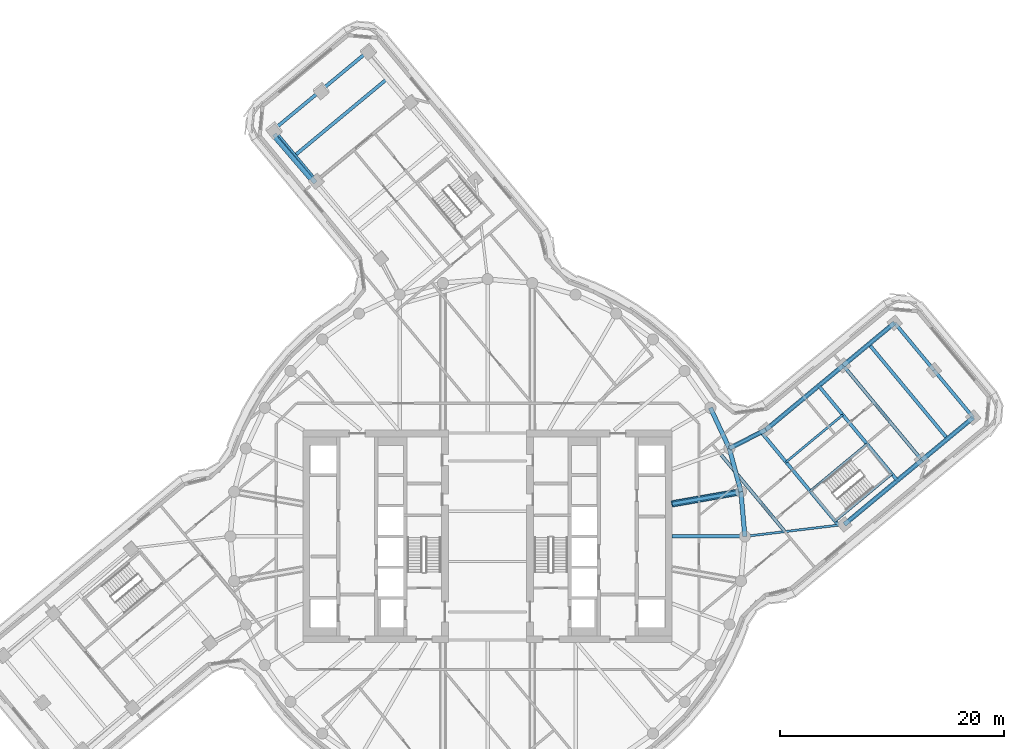
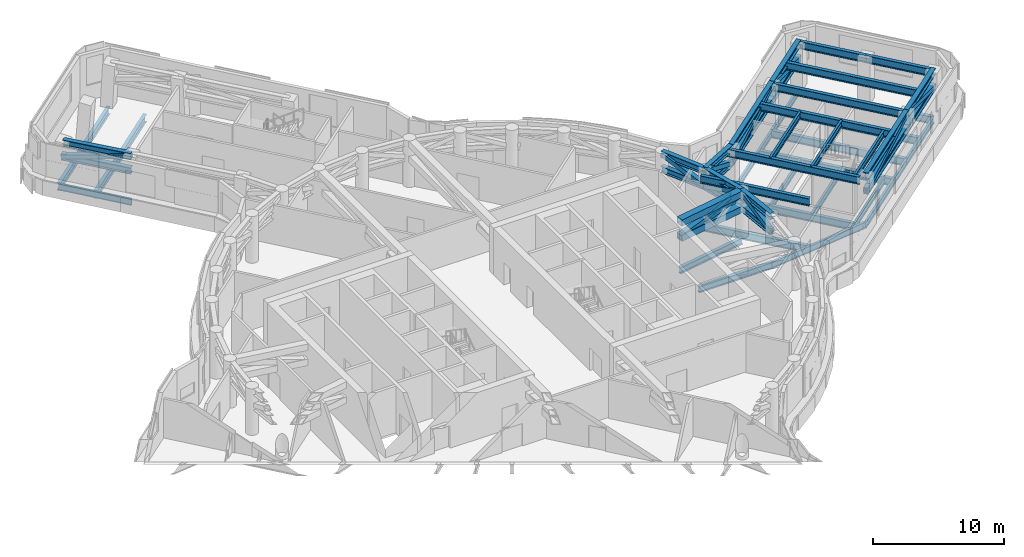
# One storey, part 4 of 22: 32 beams, 30 members.
"""IFC4 building model written with IfcOpenShell, lengths in metres."""

from ifc_helpers import new_model, si_unit, direction, frame, origin, origin_2d, place, context, subcontext, project, spatial, hollow_rectangle, i_section, extrude, material, material_profile, profile_set, type_object, element, save


model = new_model("IFC4")

# Units and contexts
model_context = context("Model", 3, precision=1e-05, world=origin(), true_north=direction((0.0, 1.0)))
body_context = subcontext(model_context, "Body", "Model", "MODEL_VIEW")
ifc_project = project(units=[si_unit("LENGTHUNIT", "METRE"), si_unit("AREAUNIT", "SQUARE_METRE"), si_unit("VOLUMEUNIT", "CUBIC_METRE"), si_unit("PLANEANGLEUNIT", "RADIAN"), si_unit("MASSUNIT", "GRAM", prefix="KILO")], contexts=[model_context])

# Site, building, storey
site_placement = place(None, origin())
site = spatial("IfcSite", under=ifc_project, at=site_placement, CompositionType="ELEMENT")
building_placement = place(site_placement, origin())
building = spatial("IfcBuilding", under=site, at=building_placement, Name="Tamarind Cross Interchange Tower", CompositionType="ELEMENT")
storey_placement = place(building_placement, frame((0.0, 0.0, 178.0)))
storey = spatial("IfcBuildingStorey", under=building, at=storey_placement, Name="L44", CompositionType="ELEMENT", Elevation=178.0)

# Beams
ifc_material_1 = material(Name="Steel Q355B", Category="steel")
ifc_material_profile_1 = material_profile(ifc_material_1, i_section(OverallWidth=0.302001953125, OverallDepth=0.593994140625, WebThickness=0.013916015625, FlangeThickness=0.02294921875, FilletRadius=0.01806640625, at=origin_2d()), Name="HM 594x302x14x23")
ifc_profile_set_1 = profile_set([ifc_material_profile_1], Name="Steel Q355B")
beam_type_1 = type_object("IfcBeamType", Name="Composite beam HM 594x302x14x23 Q355B", PredefinedType="BEAM", material=ifc_profile_set_1)
beam_1_placement = place(storey_placement, frame((23.0, 0.0, -0.47705078125), z_axis=(-1.0, 0.0, 0.0), x_axis=(0.0, -1.0, 0.0)))
element("IfcBeam", 1, at=beam_1_placement, inside=storey, type_object=beam_type_1, Name="Beam HH00", PredefinedType="BEAM", context=body_context, shape_type="SweptSolid", body=[
    extrude(i_section(OverallWidth=0.302001953125, OverallDepth=0.593994140625, WebThickness=0.013916015625, FlangeThickness=0.02294921875, FilletRadius=0.01806640625, at=origin_2d()), origin(), (0.0, 0.0, 1.0), 6.5),
])
beam_2_placement = place(storey_placement, frame((22.650634765625, 3.993896484375, -0.47705078125), z_axis=(-0.984809127561, -0.173640382036, 0.0), x_axis=(0.173640382036, -0.984809127561, 0.0)))
element("IfcBeam", 2, at=beam_2_placement, inside=storey, type_object=beam_type_1, Name="Beam HH01", PredefinedType="BEAM", context=body_context, shape_type="SweptSolid", body=[
    extrude(i_section(OverallWidth=0.302001953125, OverallDepth=0.593994140625, WebThickness=0.013916015625, FlangeThickness=0.02294921875, FilletRadius=0.01806640625, at=origin_2d()), origin(), (0.0, 0.0, 1.0), 6.24560546875),
])
ifc_material_profile_2 = material_profile(ifc_material_1, i_section(OverallWidth=0.199951171875, OverallDepth=0.60009765625, WebThickness=0.010986328125, FlangeThickness=0.01708984375, FilletRadius=0.012939453125, at=origin_2d()), Name="HN 600x200x11x17")
ifc_profile_set_2 = profile_set([ifc_material_profile_2], Name="Steel Q355B")
beam_type_2 = type_object("IfcBeamType", Name="Composite beam HN 600x200x11x17 Q355B", PredefinedType="BEAM", material=ifc_profile_set_2)
beam_3_placement = place(storey_placement, frame((43.41552734375, 10.63232421875, -0.47998046875), z_axis=(-0.769370056022, -0.638803347594, 0.0), x_axis=(0.638803347594, -0.769370056022, 0.0)))
element("IfcBeam", 3, at=beam_3_placement, inside=storey, type_object=beam_type_2, Name="Beam E-edgeem5", PredefinedType="BEAM", context=body_context, shape_type="SweptSolid", body=[
    extrude(i_section(OverallWidth=0.199951171875, OverallDepth=0.60009765625, WebThickness=0.010986328125, FlangeThickness=0.01708984375, FilletRadius=0.012939453125, at=origin_2d()), origin(), (0.0, 0.0, 1.0), 5.968505859375),
])
beam_4_placement = place(storey_placement, frame((38.823486328125, 6.819580078125, -0.47998046875), z_axis=(-0.769380703937, -0.638790523105, 0.0), x_axis=(0.638790523105, -0.769380703937, 0.0)))
element("IfcBeam", 4, at=beam_4_placement, inside=storey, type_object=beam_type_2, Name="Beam E-edgeem6", PredefinedType="BEAM", context=body_context, shape_type="SweptSolid", body=[
    extrude(i_section(OverallWidth=0.199951171875, OverallDepth=0.60009765625, WebThickness=0.010986328125, FlangeThickness=0.01708984375, FilletRadius=0.012939453125, at=origin_2d()), origin(), (0.0, 0.0, 1.0), 8.999755859375),
])
beam_5_placement = place(storey_placement, frame((36.388671875, 19.095458984375, -0.47998046875), z_axis=(-0.769370056022, -0.638803347594, 0.0), x_axis=(0.638803347594, -0.769370056022, 0.0)))
element("IfcBeam", 5, at=beam_5_placement, inside=storey, type_object=beam_type_2, Name="Beam E-edgeep2", PredefinedType="BEAM", context=body_context, shape_type="SweptSolid", body=[
    extrude(i_section(OverallWidth=0.199951171875, OverallDepth=0.60009765625, WebThickness=0.010986328125, FlangeThickness=0.01708984375, FilletRadius=0.012939453125, at=origin_2d()), origin(), (0.0, 0.0, 1.0), 5.968505859375),
])
beam_6_placement = place(storey_placement, frame((31.796630859375, 15.28271484375, -0.47998046875), z_axis=(-0.769380703937, -0.638790523105, 0.0), x_axis=(0.638790523105, -0.769380703937, 0.0)))
element("IfcBeam", 6, at=beam_6_placement, inside=storey, type_object=beam_type_2, Name="Beam E-edgeep3", PredefinedType="BEAM", context=body_context, shape_type="SweptSolid", body=[
    extrude(i_section(OverallWidth=0.199951171875, OverallDepth=0.60009765625, WebThickness=0.010986328125, FlangeThickness=0.01708984375, FilletRadius=0.012939453125, at=origin_2d()), origin(), (0.0, 0.0, 1.0), 8.999755859375),
])
beam_7_placement = place(storey_placement, frame((31.899169921875, 1.070556640625, -0.47998046875), z_axis=(-0.992841738772, -0.119437354929, 0.0), x_axis=(0.119437354929, -0.992841738772, 0.0)))
element("IfcBeam", 7, at=beam_7_placement, inside=storey, type_object=beam_type_2, Name="Beam E-linkem", PredefinedType="BEAM", context=body_context, shape_type="SweptSolid", body=[
    extrude(i_section(OverallWidth=0.199951171875, OverallDepth=0.60009765625, WebThickness=0.010986328125, FlangeThickness=0.01708984375, FilletRadius=0.012939453125, at=origin_2d()), origin(), (0.0, 0.0, 1.0), 8.96337890625),
])
beam_8_placement = place(storey_placement, frame((24.872314453125, 9.53369140625, -0.47998046875), z_axis=(-0.890281490178, -0.455410658908, 0.0), x_axis=(0.455410658908, -0.890281490178, 0.0)))
element("IfcBeam", 8, at=beam_8_placement, inside=storey, type_object=beam_type_2, Name="Beam E-linkep", PredefinedType="BEAM", context=body_context, shape_type="SweptSolid", body=[
    extrude(i_section(OverallWidth=0.199951171875, OverallDepth=0.60009765625, WebThickness=0.010986328125, FlangeThickness=0.01708984375, FilletRadius=0.012939453125, at=origin_2d()), origin(), (0.0, 0.0, 1.0), 3.660888671875),
])
for number, where, z_axis, x_axis, name in (
    (9, (31.073974609375, 1.360107421875, -0.47998046875), (0.769375238735, 0.63879710552, 0.0), (-0.63879710552, 0.769375238735, 0.0), "Beam E-tr0"),
    (10, (28.838134765625, 4.052978515625, -0.47998046875), (0.769375238735, 0.63879710552, 0.0), (-0.63879710552, 0.769375238735, 0.0), "Beam E-tr1"),
):
    element("IfcBeam", number, at=place(storey_placement, frame(where, z_axis=z_axis, x_axis=x_axis)), inside=storey, type_object=beam_type_2, Name=name, PredefinedType="BEAM", context=body_context, shape_type="SweptSolid", body=[
        extrude(i_section(OverallWidth=0.199951171875, OverallDepth=0.60009765625, WebThickness=0.010986328125, FlangeThickness=0.01708984375, FilletRadius=0.012939453125, at=origin_2d()), origin(), (0.0, 0.0, 1.0), 6.60009765625),
    ])
beam_9_placement = place(storey_placement, frame((-19.095458984375, 36.388671875, -0.47998046875), z_axis=(0.638803347594, -0.769370056022, 0.0), x_axis=(0.769370056022, 0.638803347594, 0.0)))
element("IfcBeam", 11, at=beam_9_placement, inside=storey, type_object=beam_type_2, Name="Beam N-edgeep2", PredefinedType="BEAM", context=body_context, shape_type="SweptSolid", body=[
    extrude(i_section(OverallWidth=0.199951171875, OverallDepth=0.60009765625, WebThickness=0.010986328125, FlangeThickness=0.01708984375, FilletRadius=0.012939453125, at=origin_2d()), origin(), (0.0, 0.0, 1.0), 5.968505859375),
])
beam_10_placement = place(storey_placement, frame((26.68212890625, 6.6494140625, -0.47998046875), z_axis=(0.769375238735, 0.63879710552, 0.0), x_axis=(-0.63879710552, 0.769375238735, 0.0)))
element("IfcBeam", 12, at=beam_10_placement, inside=storey, type_object=beam_type_2, Name="Beam E-stripp", PredefinedType="BEAM", context=body_context, shape_type="SweptSolid", body=[
    extrude(i_section(OverallWidth=0.199951171875, OverallDepth=0.60009765625, WebThickness=0.010986328125, FlangeThickness=0.01708984375, FilletRadius=0.012939453125, at=origin_2d()), origin(), (0.0, 0.0, 1.0), 6.60009765625),
])
ifc_material_profile_3 = material_profile(ifc_material_1, i_section(OverallWidth=0.300048828125, OverallDepth=0.699951171875, WebThickness=0.012939453125, FlangeThickness=0.02392578125, FilletRadius=0.01806640625, at=origin_2d()), Name="HN 700x300x13x24")
ifc_profile_set_3 = profile_set([ifc_material_profile_3], Name="Steel Q355B")
beam_type_3 = type_object("IfcBeamType", Name="Composite beam HN 700x300x13x24 Q355B", PredefinedType="BEAM", material=ifc_profile_set_3)
beam_11_placement = place(storey_placement, frame((43.41552734375, 10.63232421875, -0.530029296875), z_axis=(-0.638812392933, 0.769362545641, 0.0), x_axis=(-0.769362545641, -0.638812392933, 0.0)))
element("IfcBeam", 13, at=beam_11_placement, inside=storey, type_object=beam_type_3, Name="Beam E-tip0", PredefinedType="BEAM", context=body_context, shape_type="SweptSolid", body=[
    extrude(i_section(OverallWidth=0.300048828125, OverallDepth=0.699951171875, WebThickness=0.012939453125, FlangeThickness=0.02392578125, FilletRadius=0.01806640625, at=origin_2d()), origin(), (0.0, 0.0, 1.0), 5.5),
])
beam_12_placement = place(storey_placement, frame((39.902099609375, 14.86376953125, -0.530029296875), z_axis=(-0.638790576838, 0.769380659324, 0.0), x_axis=(-0.769380659324, -0.638790576838, 0.0)))
element("IfcBeam", 14, at=beam_12_placement, inside=storey, type_object=beam_type_3, Name="Beam E-tip1", PredefinedType="BEAM", context=body_context, shape_type="SweptSolid", body=[
    extrude(i_section(OverallWidth=0.300048828125, OverallDepth=0.699951171875, WebThickness=0.012939453125, FlangeThickness=0.02392578125, FilletRadius=0.01806640625, at=origin_2d()), origin(), (0.0, 0.0, 1.0), 5.500244140625),
])
beam_13_placement = place(storey_placement, frame((31.367431640625, 1.006591796875, -0.530029296875), z_axis=(-0.638806079007, 0.769367788137, 0.0), x_axis=(-0.769367788137, -0.638806079007, 0.0)))
element("IfcBeam", 15, at=beam_13_placement, inside=storey, type_object=beam_type_3, Name="Beam E-x298", PredefinedType="BEAM", context=body_context, shape_type="SweptSolid", body=[
    extrude(i_section(OverallWidth=0.300048828125, OverallDepth=0.699951171875, WebThickness=0.012939453125, FlangeThickness=0.02392578125, FilletRadius=0.01806640625, at=origin_2d()), origin(), (0.0, 0.0, 1.0), 10.81005859375),
])
for number, where, z_axis, x_axis, name in (
    (16, (36.630859375, 4.9990234375, -0.530029296875), (-0.638801484764, 0.769371602715, 0.0), (-0.769371602715, -0.638801484764, 0.0), "Beam E-x364"),
    (17, (38.823486328125, 6.819580078125, -0.530029296875), (-0.638801484764, 0.769371602715, 0.0), (-0.769371602715, -0.638801484764, 0.0), "Beam E-x393"),
):
    element("IfcBeam", number, at=place(storey_placement, frame(where, z_axis=z_axis, x_axis=x_axis)), inside=storey, type_object=beam_type_3, Name=name, PredefinedType="BEAM", context=body_context, shape_type="SweptSolid", body=[
        extrude(i_section(OverallWidth=0.300048828125, OverallDepth=0.699951171875, WebThickness=0.012939453125, FlangeThickness=0.02392578125, FilletRadius=0.01806640625, at=origin_2d()), origin(), (0.0, 0.0, 1.0), 11.0),
    ])
beam_14_placement = place(storey_placement, frame((-10.63232421875, 43.41552734375, -0.530029296875), z_axis=(-0.769362545641, -0.638812392933, 0.0), x_axis=(0.638812392933, -0.769362545641, 0.0)))
element("IfcBeam", 18, at=beam_14_placement, inside=storey, type_object=beam_type_3, Name="Beam N-tip0", PredefinedType="BEAM", context=body_context, shape_type="SweptSolid", body=[
    extrude(i_section(OverallWidth=0.300048828125, OverallDepth=0.699951171875, WebThickness=0.012939453125, FlangeThickness=0.02392578125, FilletRadius=0.01806640625, at=origin_2d()), origin(), (0.0, 0.0, 1.0), 5.5),
])
beam_15_placement = place(storey_placement, frame((-14.86376953125, 39.902099609375, -0.530029296875), z_axis=(-0.769380659324, -0.638790576838, 0.0), x_axis=(0.638790576838, -0.769380659324, 0.0)))
element("IfcBeam", 19, at=beam_15_placement, inside=storey, type_object=beam_type_3, Name="Beam N-tip1", PredefinedType="BEAM", context=body_context, shape_type="SweptSolid", body=[
    extrude(i_section(OverallWidth=0.300048828125, OverallDepth=0.699951171875, WebThickness=0.012939453125, FlangeThickness=0.02392578125, FilletRadius=0.01806640625, at=origin_2d()), origin(), (0.0, 0.0, 1.0), 5.500244140625),
])
beam_16_placement = place(storey_placement, frame((26.581298828125, 0.430908203125, -0.530029296875), z_axis=(-0.638801055904, 0.769371958793, 0.0), x_axis=(-0.769371958793, -0.638801055904, 0.0)))
element("IfcBeam", 20, at=beam_16_placement, inside=storey, type_object=beam_type_3, Name="Beam E-x258", PredefinedType="BEAM", context=body_context, shape_type="SweptSolid", body=[
    extrude(i_section(OverallWidth=0.300048828125, OverallDepth=0.699951171875, WebThickness=0.012939453125, FlangeThickness=0.02392578125, FilletRadius=0.01806640625, at=origin_2d()), origin(), (0.0, 0.0, 1.0), 8.89453125),
])
for number, where, z_axis, x_axis, name in (
    (21, (41.119384765625, 8.72607421875, -0.530029296875), (-0.638799255102, 0.769373453975, 0.0), (-0.769373453975, -0.638799255102, 0.0), "Beam E-x423"),
    (22, (-8.72607421875, 41.119384765625, -0.530029296875), (-0.769373453975, -0.638799255102, 0.0), (0.638799255102, -0.769373453975, 0.0), "Beam N-x423"),
):
    element("IfcBeam", number, at=place(storey_placement, frame(where, z_axis=z_axis, x_axis=x_axis)), inside=storey, type_object=beam_type_3, Name=name, PredefinedType="BEAM", context=body_context, shape_type="SweptSolid", body=[
        extrude(i_section(OverallWidth=0.300048828125, OverallDepth=0.699951171875, WebThickness=0.012939453125, FlangeThickness=0.02392578125, FilletRadius=0.01806640625, at=origin_2d()), origin(), (0.0, 0.0, 1.0), 10.999755859375),
    ])
ifc_material_profile_4 = material_profile(ifc_material_1, i_section(OverallWidth=0.199951171875, OverallDepth=0.60009765625, WebThickness=0.010986328125, FlangeThickness=0.01708984375, FilletRadius=0.012939453125, at=origin_2d()), Name="HN 600x200x11x17")
ifc_profile_set_4 = profile_set([ifc_material_profile_4], Name="Steel Q355B")
beam_type_4 = type_object("IfcBeamType", Name="Roof beam HN 600x200x11x17 Q355B", PredefinedType="BEAM", material=ifc_profile_set_4)
beam_17_placement = place(storey_placement, frame((31.189208984375, 1.455810546875, 3.949951171875), z_axis=(0.769382573438, 0.638788271409, 0.0), x_axis=(-0.638788271409, 0.769382573438, 0.0)))
element("IfcBeam", 23, at=beam_17_placement, inside=storey, type_object=beam_type_4, Name="Beam E-tr0", PredefinedType="BEAM", context=body_context, shape_type="SweptSolid", body=[
    extrude(i_section(OverallWidth=0.199951171875, OverallDepth=0.60009765625, WebThickness=0.010986328125, FlangeThickness=0.01708984375, FilletRadius=0.012939453125, at=origin_2d()), origin(), (0.0, 0.0, 1.0), 6.300048828125),
])
for number, where, z_axis, x_axis, name in (
    (24, (28.838134765625, 4.052978515625, 3.949951171875), (0.769375238735, 0.63879710552, 0.0), (-0.63879710552, 0.769375238735, 0.0), "Beam E-tr1"),
    (25, (26.68212890625, 6.6494140625, 3.949951171875), (0.769375238735, 0.63879710552, 0.0), (-0.63879710552, 0.769375238735, 0.0), "Beam E-stripp"),
):
    element("IfcBeam", number, at=place(storey_placement, frame(where, z_axis=z_axis, x_axis=x_axis)), inside=storey, type_object=beam_type_4, Name=name, PredefinedType="BEAM", context=body_context, shape_type="SweptSolid", body=[
        extrude(i_section(OverallWidth=0.199951171875, OverallDepth=0.60009765625, WebThickness=0.010986328125, FlangeThickness=0.01708984375, FilletRadius=0.012939453125, at=origin_2d()), origin(), (0.0, 0.0, 1.0), 6.60009765625),
    ])
ifc_material_profile_5 = material_profile(ifc_material_1, i_section(OverallWidth=0.300048828125, OverallDepth=0.699951171875, WebThickness=0.012939453125, FlangeThickness=0.02392578125, FilletRadius=0.01806640625, at=origin_2d()), Name="HN 700x300x13x24")
ifc_profile_set_5 = profile_set([ifc_material_profile_5], Name="Steel Q355B")
beam_type_5 = type_object("IfcBeamType", Name="Roof beam HN 700x300x13x24 Q355B", PredefinedType="BEAM", material=ifc_profile_set_5)
beam_18_placement = place(storey_placement, frame((43.41552734375, 10.63232421875, 3.89990234375), z_axis=(-0.638812392933, 0.769362545641, 0.0), x_axis=(-0.769362545641, -0.638812392933, 0.0)))
element("IfcBeam", 26, at=beam_18_placement, inside=storey, type_object=beam_type_5, Name="Beam E-tip0", PredefinedType="BEAM", context=body_context, shape_type="SweptSolid", body=[
    extrude(i_section(OverallWidth=0.300048828125, OverallDepth=0.699951171875, WebThickness=0.012939453125, FlangeThickness=0.02392578125, FilletRadius=0.01806640625, at=origin_2d()), origin(), (0.0, 0.0, 1.0), 5.5),
])
beam_19_placement = place(storey_placement, frame((39.902099609375, 14.86376953125, 3.89990234375), z_axis=(-0.638790576838, 0.769380659324, 0.0), x_axis=(-0.769380659324, -0.638790576838, 0.0)))
element("IfcBeam", 27, at=beam_19_placement, inside=storey, type_object=beam_type_5, Name="Beam E-tip1", PredefinedType="BEAM", context=body_context, shape_type="SweptSolid", body=[
    extrude(i_section(OverallWidth=0.300048828125, OverallDepth=0.699951171875, WebThickness=0.012939453125, FlangeThickness=0.02392578125, FilletRadius=0.01806640625, at=origin_2d()), origin(), (0.0, 0.0, 1.0), 5.500244140625),
])
beam_20_placement = place(storey_placement, frame((31.367431640625, 1.006591796875, 3.89990234375), z_axis=(-0.638806079007, 0.769367788137, 0.0), x_axis=(-0.769367788137, -0.638806079007, 0.0)))
element("IfcBeam", 28, at=beam_20_placement, inside=storey, type_object=beam_type_5, Name="Beam E-x298", PredefinedType="BEAM", context=body_context, shape_type="SweptSolid", body=[
    extrude(i_section(OverallWidth=0.300048828125, OverallDepth=0.699951171875, WebThickness=0.012939453125, FlangeThickness=0.02392578125, FilletRadius=0.01806640625, at=origin_2d()), origin(), (0.0, 0.0, 1.0), 10.81005859375),
])
for number, where, z_axis, x_axis, name in (
    (29, (36.630859375, 4.9990234375, 3.89990234375), (-0.638801484764, 0.769371602715, 0.0), (-0.769371602715, -0.638801484764, 0.0), "Beam E-x364"),
    (30, (38.823486328125, 6.819580078125, 3.89990234375), (-0.638801484764, 0.769371602715, 0.0), (-0.769371602715, -0.638801484764, 0.0), "Beam E-x393"),
):
    element("IfcBeam", number, at=place(storey_placement, frame(where, z_axis=z_axis, x_axis=x_axis)), inside=storey, type_object=beam_type_5, Name=name, PredefinedType="BEAM", context=body_context, shape_type="SweptSolid", body=[
        extrude(i_section(OverallWidth=0.300048828125, OverallDepth=0.699951171875, WebThickness=0.012939453125, FlangeThickness=0.02392578125, FilletRadius=0.01806640625, at=origin_2d()), origin(), (0.0, 0.0, 1.0), 11.0),
    ])
beam_21_placement = place(storey_placement, frame((26.581298828125, 0.430908203125, 3.89990234375), z_axis=(-0.638801055904, 0.769371958793, 0.0), x_axis=(-0.769371958793, -0.638801055904, 0.0)))
element("IfcBeam", 31, at=beam_21_placement, inside=storey, type_object=beam_type_5, Name="Beam E-x258", PredefinedType="BEAM", context=body_context, shape_type="SweptSolid", body=[
    extrude(i_section(OverallWidth=0.300048828125, OverallDepth=0.699951171875, WebThickness=0.012939453125, FlangeThickness=0.02392578125, FilletRadius=0.01806640625, at=origin_2d()), origin(), (0.0, 0.0, 1.0), 8.89453125),
])
beam_22_placement = place(storey_placement, frame((41.119384765625, 8.72607421875, 3.89990234375), z_axis=(-0.638799255102, 0.769373453975, 0.0), x_axis=(-0.769373453975, -0.638799255102, 0.0)))
element("IfcBeam", 32, at=beam_22_placement, inside=storey, type_object=beam_type_5, Name="Beam E-x423", PredefinedType="BEAM", context=body_context, shape_type="SweptSolid", body=[
    extrude(i_section(OverallWidth=0.300048828125, OverallDepth=0.699951171875, WebThickness=0.012939453125, FlangeThickness=0.02392578125, FilletRadius=0.01806640625, at=origin_2d()), origin(), (0.0, 0.0, 1.0), 10.999755859375),
])

# Members
ifc_material_2 = material(Name="Steel Q420B", Category="steel")
ifc_material_profile_6 = material_profile(ifc_material_2, i_section(OverallWidth=0.39990234375, OverallDepth=0.60009765625, WebThickness=0.02490234375, FlangeThickness=0.0400390625, at=origin_2d()), Name="BH 600x400x25x40")
ifc_profile_set_6 = profile_set([ifc_material_profile_6], Name="Steel Q420B")
member_type_1 = type_object("IfcMemberType", Name="Truss chord BH 600x400x25x40 Q420B", PredefinedType="CHORD", material=ifc_profile_set_6)
for number, where, z_axis, x_axis, name in (
    (33, (23.0, 0.0, 4.06005859375), (-0.087142021558, 0.996195898445, 0.0), (-0.996195898445, -0.087142021558, 0.0), "Belt truss ring top H00"),
    (34, (23.0, 0.0, 2.64990234375), (-0.087142021558, 0.996195898445, 0.0), (-0.996195898445, -0.087142021558, 0.0), "Belt truss ring bottom H00"),
    (35, (22.650634765625, 3.993896484375, 4.06005859375), (-0.258807108475, 0.96592902462, 0.0), (-0.96592902462, -0.258807108475, 0.0), "Belt truss ring top H01"),
    (36, (22.650634765625, 3.993896484375, 2.64990234375), (-0.258807108475, 0.96592902462, 0.0), (-0.96592902462, -0.258807108475, 0.0), "Belt truss ring bottom H01"),
):
    element("IfcMember", number, at=place(storey_placement, frame(where, z_axis=z_axis, x_axis=x_axis)), inside=storey, type_object=member_type_1, Name=name, PredefinedType="CHORD", context=body_context, shape_type="SweptSolid", body=[
        extrude(i_section(OverallWidth=0.39990234375, OverallDepth=0.60009765625, WebThickness=0.02490234375, FlangeThickness=0.0400390625, at=origin_2d()), origin(), (0.0, 0.0, 1.0), 4.009033203125),
    ])
for number, where, z_axis, x_axis, name in (
    (37, (21.613037109375, 7.866455078125, 4.06005859375), (-0.422615416827, 0.906309113636, 0.0), (-0.906309113636, -0.422615416827, 0.0), "Belt truss ring top H02"),
    (38, (21.613037109375, 7.866455078125, 2.64990234375), (-0.422615416827, 0.906309113636, 0.0), (-0.906309113636, -0.422615416827, 0.0), "Belt truss ring bottom H02"),
):
    element("IfcMember", number, at=place(storey_placement, frame(where, z_axis=z_axis, x_axis=x_axis)), inside=storey, type_object=member_type_1, Name=name, PredefinedType="CHORD", context=body_context, shape_type="SweptSolid", body=[
        extrude(i_section(OverallWidth=0.39990234375, OverallDepth=0.60009765625, WebThickness=0.02490234375, FlangeThickness=0.0400390625, at=origin_2d()), origin(), (0.0, 0.0, 1.0), 4.00927734375),
    ])
for number, where, z_axis, x_axis, name in (
    (39, (36.388671875, 19.095458984375, 4.06005859375), (-0.769370056022, -0.638803347594, 0.0), (0.638803347594, -0.769370056022, 0.0), "Belt truss arm Eep top"),
    (40, (36.388671875, 19.095458984375, 2.64990234375), (-0.769370056022, -0.638803347594, 0.0), (0.638803347594, -0.769370056022, 0.0), "Belt truss arm Eep bottom"),
):
    element("IfcMember", number, at=place(storey_placement, frame(where, z_axis=z_axis, x_axis=x_axis)), inside=storey, type_object=member_type_1, Name=name, PredefinedType="CHORD", context=body_context, shape_type="SweptSolid", body=[
        extrude(i_section(OverallWidth=0.39990234375, OverallDepth=0.60009765625, WebThickness=0.02490234375, FlangeThickness=0.0400390625, at=origin_2d()), origin(), (0.0, 0.0, 1.0), 5.968505859375),
    ])
for number, where, z_axis, x_axis, name in (
    (41, (31.796630859375, 15.28271484375, 4.06005859375), (-0.769380703937, -0.638790523105, 0.0), (0.638790523105, -0.769380703937, 0.0), "Belt truss arm Eep top"),
    (42, (31.796630859375, 15.28271484375, 2.64990234375), (-0.769380703937, -0.638790523105, 0.0), (0.638790523105, -0.769380703937, 0.0), "Belt truss arm Eep bottom"),
):
    element("IfcMember", number, at=place(storey_placement, frame(where, z_axis=z_axis, x_axis=x_axis)), inside=storey, type_object=member_type_1, Name=name, PredefinedType="CHORD", context=body_context, shape_type="SweptSolid", body=[
        extrude(i_section(OverallWidth=0.39990234375, OverallDepth=0.60009765625, WebThickness=0.02490234375, FlangeThickness=0.0400390625, at=origin_2d()), origin(), (0.0, 0.0, 1.0), 8.999755859375),
    ])
for number, where, z_axis, x_axis, name in (
    (43, (24.872314453125, 9.53369140625, 4.06005859375), (-0.890281490178, -0.455410658908, 0.0), (0.455410658908, -0.890281490178, 0.0), "Belt truss arm Eep top"),
    (44, (24.872314453125, 9.53369140625, 2.64990234375), (-0.890281490178, -0.455410658908, 0.0), (0.455410658908, -0.890281490178, 0.0), "Belt truss arm Eep bottom"),
):
    element("IfcMember", number, at=place(storey_placement, frame(where, z_axis=z_axis, x_axis=x_axis)), inside=storey, type_object=member_type_1, Name=name, PredefinedType="CHORD", context=body_context, shape_type="SweptSolid", body=[
        extrude(i_section(OverallWidth=0.39990234375, OverallDepth=0.60009765625, WebThickness=0.02490234375, FlangeThickness=0.0400390625, at=origin_2d()), origin(), (0.0, 0.0, 1.0), 3.660888671875),
    ])
for number, where, z_axis, x_axis, name in (
    (45, (43.41552734375, 10.63232421875, 4.06005859375), (-0.769370056022, -0.638803347594, 0.0), (0.638803347594, -0.769370056022, 0.0), "Belt truss arm Eem top"),
    (46, (43.41552734375, 10.63232421875, 2.64990234375), (-0.769370056022, -0.638803347594, 0.0), (0.638803347594, -0.769370056022, 0.0), "Belt truss arm Eem bottom"),
):
    element("IfcMember", number, at=place(storey_placement, frame(where, z_axis=z_axis, x_axis=x_axis)), inside=storey, type_object=member_type_1, Name=name, PredefinedType="CHORD", context=body_context, shape_type="SweptSolid", body=[
        extrude(i_section(OverallWidth=0.39990234375, OverallDepth=0.60009765625, WebThickness=0.02490234375, FlangeThickness=0.0400390625, at=origin_2d()), origin(), (0.0, 0.0, 1.0), 5.968505859375),
    ])
for number, where, z_axis, x_axis, name in (
    (47, (38.823486328125, 6.819580078125, 4.06005859375), (-0.769380703937, -0.638790523105, 0.0), (0.638790523105, -0.769380703937, 0.0), "Belt truss arm Eem top"),
    (48, (38.823486328125, 6.819580078125, 2.64990234375), (-0.769380703937, -0.638790523105, 0.0), (0.638790523105, -0.769380703937, 0.0), "Belt truss arm Eem bottom"),
):
    element("IfcMember", number, at=place(storey_placement, frame(where, z_axis=z_axis, x_axis=x_axis)), inside=storey, type_object=member_type_1, Name=name, PredefinedType="CHORD", context=body_context, shape_type="SweptSolid", body=[
        extrude(i_section(OverallWidth=0.39990234375, OverallDepth=0.60009765625, WebThickness=0.02490234375, FlangeThickness=0.0400390625, at=origin_2d()), origin(), (0.0, 0.0, 1.0), 8.999755859375),
    ])
member_1_placement = place(storey_placement, frame((-19.059814453125, 35.739013671875, 4.06005859375), z_axis=(0.651730324119, -0.758450779302, 0.0), x_axis=(0.758450779302, 0.651730324119, 0.0)))
element("IfcMember", 49, at=member_1_placement, inside=storey, type_object=member_type_1, Name="Belt truss arm Nep top", PredefinedType="CHORD", context=body_context, shape_type="SweptSolid", body=[
    extrude(i_section(OverallWidth=0.39990234375, OverallDepth=0.60009765625, WebThickness=0.02490234375, FlangeThickness=0.0400390625, at=origin_2d()), origin(), (0.0, 0.0, 1.0), 5.54296875),
])
member_2_placement = place(storey_placement, frame((-19.07177734375, 35.955078125, 2.64990234375), z_axis=(0.64725436675, -0.762274087663, 0.0), x_axis=(0.762274087663, 0.64725436675, 0.0)))
element("IfcMember", 50, at=member_2_placement, inside=storey, type_object=member_type_1, Name="Belt truss arm Nep bottom", PredefinedType="CHORD", context=body_context, shape_type="SweptSolid", body=[
    extrude(i_section(OverallWidth=0.39990234375, OverallDepth=0.60009765625, WebThickness=0.02490234375, FlangeThickness=0.0400390625, at=origin_2d()), origin(), (0.0, 0.0, 1.0), 5.684326171875),
])
ifc_material_profile_7 = material_profile(ifc_material_2, hollow_rectangle(XDim=0.60009765625, YDim=0.60009765625, WallThickness=0.0400390625, at=origin_2d()), Name="BOX 600x600x40")
ifc_profile_set_7 = profile_set([ifc_material_profile_7], Name="Steel Q420B")
member_type_2 = type_object("IfcMemberType", Name="Truss chord BOX 600x600x40 Q420B", PredefinedType="CHORD", material=ifc_profile_set_7)
for number, where, z_axis, x_axis, name in (
    (51, (16.5, 2.909423828125, 4.06005859375), (0.984809127561, 0.173640382036, 0.0), (-0.173640382036, 0.984809127561, 0.0), "Outrigger truss H01 top"),
    (52, (16.5, 2.909423828125, 2.64990234375), (0.984809127561, 0.173640382036, 0.0), (-0.173640382036, 0.984809127561, 0.0), "Outrigger truss H01 bottom"),
):
    element("IfcMember", number, at=place(storey_placement, frame(where, z_axis=z_axis, x_axis=x_axis)), inside=storey, type_object=member_type_2, Name=name, PredefinedType="CHORD", context=body_context, shape_type="SweptSolid", body=[
        extrude(hollow_rectangle(XDim=0.60009765625, YDim=0.60009765625, WallThickness=0.0400390625, at=origin_2d()), origin(), (0.0, 0.0, 1.0), 6.24560546875),
    ])
ifc_material_profile_8 = material_profile(ifc_material_2, hollow_rectangle(XDim=0.39990234375, YDim=0.39990234375, WallThickness=0.02490234375, at=origin_2d()), Name="BOX 400x400x25")
ifc_profile_set_8 = profile_set([ifc_material_profile_8], Name="Steel Q420B")
member_type_3 = type_object("IfcMemberType", Name="Truss diagonal BOX 400x400x25 Q420B", PredefinedType="BRACE", material=ifc_profile_set_8)
for number, where, z_axis, x_axis, name in (
    (53, (23.0, 0.0, 2.64990234375), (-0.082205164178, 0.939758407255, 0.331807846464), (-0.996195898445, -0.087142021558, 0.0), "Belt truss ring diagonal H00"),
    (54, (22.650634765625, 3.993896484375, 4.06005859375), (-0.244144953026, 0.911206410564, -0.33180735263), (-0.96592902462, -0.258807108475, 0.0), "Belt truss ring diagonal H01"),
    (55, (21.613037109375, 7.866455078125, 2.64990234375), (-0.398673198935, 0.854964440887, 0.33180639727), (-0.906309113636, -0.422615416827, 0.0), "Belt truss ring diagonal H02"),
):
    element("IfcMember", number, at=place(storey_placement, frame(where, z_axis=z_axis, x_axis=x_axis)), inside=storey, type_object=member_type_3, Name=name, PredefinedType="BRACE", context=body_context, shape_type="SweptSolid", body=[
        extrude(hollow_rectangle(XDim=0.39990234375, YDim=0.39990234375, WallThickness=0.02490234375, at=origin_2d()), origin(), (0.0, 0.0, 1.0), 4.25),
    ])
member_3_placement = place(storey_placement, frame((36.388671875, 19.095458984375, 2.64990234375), z_axis=(-0.748755869651, -0.621687512166, 0.229933218305), x_axis=(0.638803347594, -0.769370056022, 0.0)))
element("IfcMember", 56, at=member_3_placement, inside=storey, type_object=member_type_3, Name="Belt truss arm Eep diagonal", PredefinedType="BRACE", context=body_context, shape_type="SweptSolid", body=[
    extrude(hollow_rectangle(XDim=0.39990234375, YDim=0.39990234375, WallThickness=0.02490234375, at=origin_2d()), origin(), (0.0, 0.0, 1.0), 6.1328125),
])
member_4_placement = place(storey_placement, frame((31.796630859375, 15.28271484375, 4.06005859375), z_axis=(-0.760106717102, -0.631090648555, -0.154797842112), x_axis=(0.638790523105, -0.769380703937, 0.0)))
element("IfcMember", 57, at=member_4_placement, inside=storey, type_object=member_type_3, Name="Belt truss arm Eep diagonal", PredefinedType="BRACE", context=body_context, shape_type="SweptSolid", body=[
    extrude(hollow_rectangle(XDim=0.39990234375, YDim=0.39990234375, WallThickness=0.02490234375, at=origin_2d()), origin(), (0.0, 0.0, 1.0), 9.109619140625),
])
member_5_placement = place(storey_placement, frame((24.872314453125, 9.53369140625, 2.64990234375), z_axis=(-0.830780696727, -0.424973885988, 0.359444891707), x_axis=(0.455410658908, -0.890281490178, 0.0)))
element("IfcMember", 58, at=member_5_placement, inside=storey, type_object=member_type_3, Name="Belt truss arm Eep diagonal", PredefinedType="BRACE", context=body_context, shape_type="SweptSolid", body=[
    extrude(hollow_rectangle(XDim=0.39990234375, YDim=0.39990234375, WallThickness=0.02490234375, at=origin_2d()), origin(), (0.0, 0.0, 1.0), 3.923095703125),
])
member_6_placement = place(storey_placement, frame((43.41552734375, 10.63232421875, 2.64990234375), z_axis=(-0.748755869651, -0.621687512166, 0.229933218305), x_axis=(0.638803347594, -0.769370056022, 0.0)))
element("IfcMember", 59, at=member_6_placement, inside=storey, type_object=member_type_3, Name="Belt truss arm Eem diagonal", PredefinedType="BRACE", context=body_context, shape_type="SweptSolid", body=[
    extrude(hollow_rectangle(XDim=0.39990234375, YDim=0.39990234375, WallThickness=0.02490234375, at=origin_2d()), origin(), (0.0, 0.0, 1.0), 6.1328125),
])
member_7_placement = place(storey_placement, frame((38.823486328125, 6.819580078125, 4.06005859375), z_axis=(-0.760106717102, -0.631090648555, -0.154797842112), x_axis=(0.638790523105, -0.769380703937, 0.0)))
element("IfcMember", 60, at=member_7_placement, inside=storey, type_object=member_type_3, Name="Belt truss arm Eem diagonal", PredefinedType="BRACE", context=body_context, shape_type="SweptSolid", body=[
    extrude(hollow_rectangle(XDim=0.39990234375, YDim=0.39990234375, WallThickness=0.02490234375, at=origin_2d()), origin(), (0.0, 0.0, 1.0), 9.109619140625),
])
member_8_placement = place(storey_placement, frame((-19.07177734375, 35.955078125, 2.64990234375), z_axis=(0.615620882933, -0.750762231274, 0.239514092673), x_axis=(0.773269884635, 0.634077034371, 0.0)))
element("IfcMember", 61, at=member_8_placement, inside=storey, type_object=member_type_3, Name="Belt truss arm Nep diagonal", PredefinedType="BRACE", context=body_context, shape_type="SweptSolid", body=[
    extrude(hollow_rectangle(XDim=0.39990234375, YDim=0.39990234375, WallThickness=0.02490234375, at=origin_2d()), origin(), (0.0, 0.0, 1.0), 5.887451171875),
])
ifc_material_profile_9 = material_profile(ifc_material_2, hollow_rectangle(XDim=0.5, YDim=0.5, WallThickness=0.030029296875, at=origin_2d()), Name="BOX 500x500x30")
ifc_profile_set_9 = profile_set([ifc_material_profile_9], Name="Steel Q420B")
member_type_4 = type_object("IfcMemberType", Name="Truss diagonal BOX 500x500x30 Q420B", PredefinedType="BRACE", material=ifc_profile_set_9)
member_9_placement = place(storey_placement, frame((16.5, 2.909423828125, 2.64990234375), z_axis=(0.960627170611, 0.169376647952, 0.220243025342), x_axis=(-0.173640382036, 0.984809127561, 0.0)))
element("IfcMember", 62, at=member_9_placement, inside=storey, type_object=member_type_4, Name="Outrigger truss H01 diagonal", PredefinedType="BRACE", context=body_context, shape_type="SweptSolid", body=[
    extrude(hollow_rectangle(XDim=0.5, YDim=0.5, WallThickness=0.030029296875, at=origin_2d()), origin(), (0.0, 0.0, 1.0), 6.40283203125),
])

save(model, "model.ifc")
